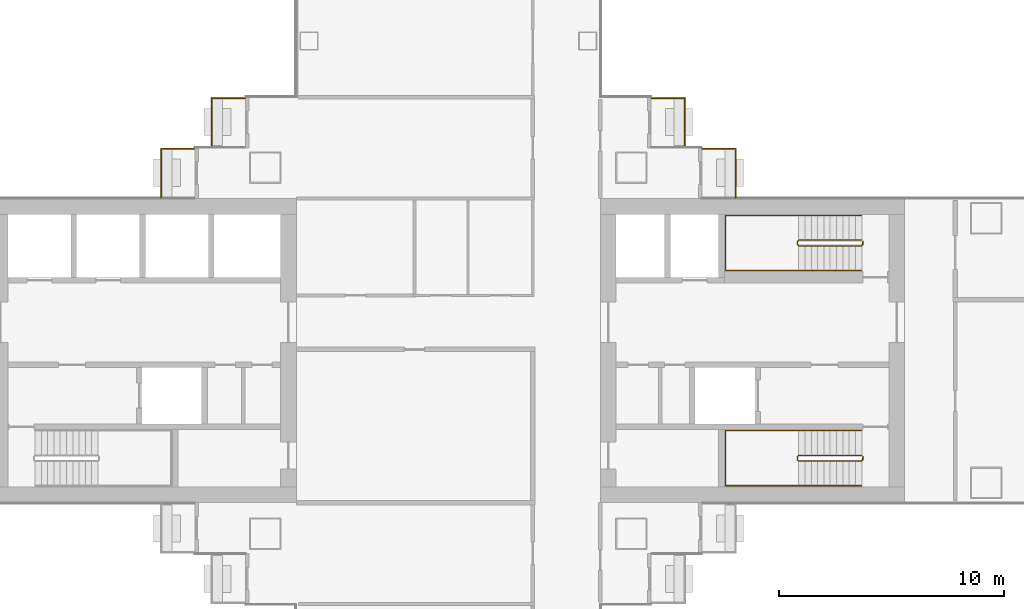
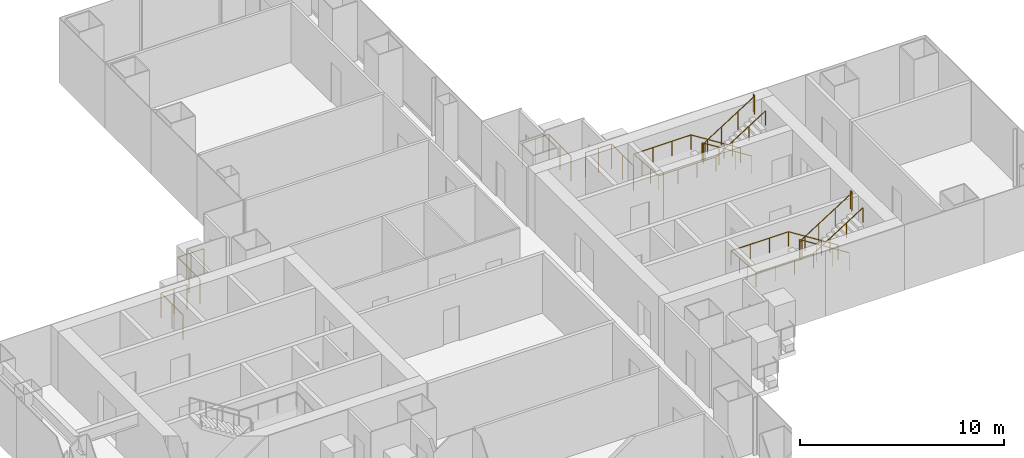
# One storey, part 20 of 21: 8 railings.
"""IFC4 building model written with IfcOpenShell, lengths in metres."""

from ifc_helpers import new_model, si_unit, direction, frame, origin, origin_2d, place, context, subcontext, project, spatial, circle, extrude, material, type_object, element, save


model = new_model("IFC4")

# Units and contexts
model_context = context("Model", 3, precision=1e-05, world=origin(), true_north=direction((0.0, 1.0)))
body_context = subcontext(model_context, "Body", "Model", "MODEL_VIEW")
ifc_project = project(units=[si_unit("LENGTHUNIT", "METRE"), si_unit("AREAUNIT", "SQUARE_METRE"), si_unit("VOLUMEUNIT", "CUBIC_METRE"), si_unit("PLANEANGLEUNIT", "RADIAN"), si_unit("MASSUNIT", "GRAM", prefix="KILO")], contexts=[model_context])

# Site, building, storey
site_placement = place(None, origin())
site = spatial("IfcSite", under=ifc_project, at=site_placement, CompositionType="ELEMENT")
building_placement = place(site_placement, origin())
building = spatial("IfcBuilding", under=site, at=building_placement, Name="Shamsa Quay Exchange Towers", CompositionType="ELEMENT")
storey_placement = place(building_placement, frame((0.0, 0.0, 53.699951171875)))
storey = spatial("IfcBuildingStorey", under=building, at=storey_placement, Name="L11", CompositionType="ELEMENT", Elevation=53.699951171875)

# Railings
ifc_material_1 = material(Name="Steel S355, black powder-coated", Category="steel")
railing_type_1 = type_object("IfcRailingType", Name="BALCONY GUARD 1500", PredefinedType="GUARDRAIL", material=ifc_material_1)
for number, where, name in (
    (1, (24.72900390625, 11.199951171875, 0.0), "Balcony guard T2-PKEN L11"),
    (2, (22.47900390625, 8.949951171875, 0.0), "Balcony guard T2-PKEN L11"),
):
    element("IfcRailing", number, at=place(storey_placement, frame(where)), inside=storey, type_object=railing_type_1, Name=name, PredefinedType="GUARDRAIL", context=body_context, shape_type="SweptSolid", body=[
        extrude(circle(Radius=0.02392578125, at=origin_2d()), frame((0.0, 0.0, 1.47607421875), z_axis=(-1.0, 0.0, 0.0), x_axis=(0.0, -1.0, 0.0)), (0.0, 0.0, 1.0), 1.47900390625),
        extrude(circle(Radius=0.02392578125, at=origin_2d()), frame((-1.47900390625, 0.0, 1.47607421875), z_axis=(0.0, -1.0, 0.0), x_axis=(1.0, 0.0, 0.0)), (0.0, 0.0, 1.0), 2.161865234375),
        extrude(circle(Radius=0.02099609375, at=origin_2d()), origin(), (0.0, 0.0, 1.0), 1.451904296875),
        extrude(circle(Radius=0.02099609375, at=origin_2d()), frame((-0.739501953125, 0.0, 0.0)), (0.0, 0.0, 1.0), 1.451904296875),
        extrude(circle(Radius=0.02099609375, at=origin_2d()), frame((-1.47900390625, 0.0, 0.0)), (0.0, 0.0, 1.0), 1.451904296875),
        extrude(circle(Radius=0.02099609375, at=origin_2d()), frame((-1.47900390625, -1.0810546875, 0.0)), (0.0, 0.0, 1.0), 1.451904296875),
        extrude(circle(Radius=0.02099609375, at=origin_2d()), frame((-1.47900390625, -2.161865234375, 0.0)), (0.0, 0.0, 1.0), 1.451904296875),
    ])
for number, where, name in (
    (3, (44.25, 9.0380859375, 0.0), "Balcony guard T2-PKES L11"),
    (4, (46.5, 6.7880859375, 0.0), "Balcony guard T2-PKES L11"),
):
    element("IfcRailing", number, at=place(storey_placement, frame(where)), inside=storey, type_object=railing_type_1, Name=name, PredefinedType="GUARDRAIL", context=body_context, shape_type="SweptSolid", body=[
        extrude(circle(Radius=0.02392578125, at=origin_2d()), frame((0.0, 0.0, 1.47607421875), z_axis=(0.0, 1.0, 0.0), x_axis=(-1.0, 0.0, 0.0)), (0.0, 0.0, 1.0), 2.161865234375),
        extrude(circle(Radius=0.02392578125, at=origin_2d()), frame((0.0, 2.161865234375, 1.47607421875), z_axis=(-1.0, 0.0, 0.0), x_axis=(0.0, -1.0, 0.0)), (0.0, 0.0, 1.0), 1.47900390625),
        extrude(circle(Radius=0.02099609375, at=origin_2d()), origin(), (0.0, 0.0, 1.0), 1.451904296875),
        extrude(circle(Radius=0.02099609375, at=origin_2d()), frame((0.0, 1.0810546875, 0.0)), (0.0, 0.0, 1.0), 1.451904296875),
        extrude(circle(Radius=0.02099609375, at=origin_2d()), frame((0.0, 2.161865234375, 0.0)), (0.0, 0.0, 1.0), 1.451904296875),
        extrude(circle(Radius=0.02099609375, at=origin_2d()), frame((-0.739501953125, 2.161865234375, 0.0)), (0.0, 0.0, 1.0), 1.451904296875),
        extrude(circle(Radius=0.02099609375, at=origin_2d()), frame((-1.47900390625, 2.161865234375, 0.0)), (0.0, 0.0, 1.0), 1.451904296875),
    ])
ifc_material_2 = material(Name="Stainless steel", Category="steel")
railing_type_2 = type_object("IfcRailingType", Name="STAIR GUARD 1100", PredefinedType="GUARDRAIL", material=ifc_material_2)
railing_1_placement = place(storey_placement, frame((52.10009765625, -4.64990234375, 0.17724609375)))
element("IfcRailing", 5, at=railing_1_placement, inside=storey, type_object=railing_type_2, Name="L11 ST5 stair guard 1", PredefinedType="GUARDRAIL", context=body_context, shape_type="SweptSolid", body=[
    extrude(circle(Radius=0.02392578125, at=origin_2d()), frame((0.0, 0.0, 1.076171875), z_axis=(-0.844908973607, 0.0, 0.534910110503), x_axis=(0.0, -1.0, 0.0)), (0.0, 0.0, 1.0), 3.31396484375),
    extrude(circle(Radius=0.02392578125, at=origin_2d()), frame((-2.800048828125, 0.0, 2.8486328125), z_axis=(-0.707106781187, -0.707106781187, 0.0), x_axis=(0.707106781187, -0.707106781187, 0.0)), (0.0, 0.0, 1.0), 0.07080078125),
    extrude(circle(Radius=0.02392578125, at=origin_2d()), frame((-2.85009765625, -0.050048828125, 2.8486328125), z_axis=(0.0, -1.0, 0.0), x_axis=(1.0, 0.0, 0.0)), (0.0, 0.0, 1.0), 0.150146484375),
    extrude(circle(Radius=0.02392578125, at=origin_2d()), frame((-2.85009765625, -0.2001953125, 2.8486328125), z_axis=(0.262009983441, -0.260731885961, 0.929176868105), x_axis=(0.705375805398, 0.708833529934, 0.0)), (0.0, 0.0, 1.0), 0.19091796875),
    extrude(circle(Radius=0.02392578125, at=origin_2d()), frame((-2.800048828125, -0.25, 3.0263671875), z_axis=(0.844908973607, 0.0, 0.534910110503), x_axis=(0.0, 1.0, 0.0)), (0.0, 0.0, 1.0), 3.31396484375),
    extrude(circle(Radius=0.02392578125, at=origin_2d()), frame((0.0, -0.25, 4.798828125), z_axis=(0.241699205484, 0.970351222016, 0.0), x_axis=(-0.970351222016, 0.241699205484, 0.0)), (0.0, 0.0, 1.0), 0.2060546875),
    extrude(circle(Radius=0.02392578125, at=origin_2d()), frame((0.0498046875, -0.050048828125, 4.798828125), z_axis=(0.0, -1.0, 0.0), x_axis=(1.0, 0.0, 0.0)), (0.0, 0.0, 1.0), 0.150146484375),
    extrude(circle(Radius=0.02099609375, at=origin_2d()), origin(), (0.0, 0.0, 1.0), 1.052001953125),
    extrude(circle(Radius=0.02099609375, at=origin_2d()), frame((-0.933349609375, 0.0, 0.5908203125)), (0.0, 0.0, 1.0), 1.052001953125),
    extrude(circle(Radius=0.02099609375, at=origin_2d()), frame((-1.86669921875, 0.0, 1.181884765625)), (0.0, 0.0, 1.0), 1.052001953125),
    extrude(circle(Radius=0.02099609375, at=origin_2d()), frame((-2.800048828125, 0.0, 1.772705078125)), (0.0, 0.0, 1.0), 1.052001953125),
    extrude(circle(Radius=0.02099609375, at=origin_2d()), frame((-2.85009765625, -0.050048828125, 1.772705078125)), (0.0, 0.0, 1.0), 1.052001953125),
    extrude(circle(Radius=0.02099609375, at=origin_2d()), frame((-2.85009765625, -0.2001953125, 1.772705078125)), (0.0, 0.0, 1.0), 1.052001953125),
    extrude(circle(Radius=0.02099609375, at=origin_2d()), frame((-2.800048828125, -0.25, 1.9501953125)), (0.0, 0.0, 1.0), 1.052001953125),
    extrude(circle(Radius=0.02099609375, at=origin_2d()), frame((-1.86669921875, -0.25, 2.541015625)), (0.0, 0.0, 1.0), 1.052001953125),
    extrude(circle(Radius=0.02099609375, at=origin_2d()), frame((-0.933349609375, -0.25, 3.132080078125)), (0.0, 0.0, 1.0), 1.052001953125),
    extrude(circle(Radius=0.02099609375, at=origin_2d()), frame((0.0, -0.25, 3.722900390625)), (0.0, 0.0, 1.0), 1.052001953125),
    extrude(circle(Radius=0.02099609375, at=origin_2d()), frame((0.0498046875, -0.050048828125, 3.722900390625)), (0.0, 0.0, 1.0), 1.052001953125),
    extrude(circle(Radius=0.02099609375, at=origin_2d()), frame((0.0498046875, -0.2001953125, 3.722900390625)), (0.0, 0.0, 1.0), 1.052001953125),
])
railing_2_placement = place(storey_placement, frame((52.10009765625, 4.89990234375, 0.17724609375)))
element("IfcRailing", 6, at=railing_2_placement, inside=storey, type_object=railing_type_2, Name="L11 ST6 stair guard 1", PredefinedType="GUARDRAIL", context=body_context, shape_type="SweptSolid", body=[
    extrude(circle(Radius=0.02392578125, at=origin_2d()), frame((0.0, 0.0, 1.076171875), z_axis=(-0.844908973607, 0.0, 0.534910110503), x_axis=(0.0, -1.0, 0.0)), (0.0, 0.0, 1.0), 3.31396484375),
    extrude(circle(Radius=0.02392578125, at=origin_2d()), frame((-2.800048828125, 0.0, 2.8486328125), z_axis=(-0.708833529934, -0.705375805398, 0.0), x_axis=(0.705375805398, -0.708833529934, 0.0)), (0.0, 0.0, 1.0), 0.070556640625),
    extrude(circle(Radius=0.02392578125, at=origin_2d()), frame((-2.85009765625, -0.0498046875, 2.8486328125), z_axis=(0.0, -1.0, 0.0), x_axis=(1.0, 0.0, 0.0)), (0.0, 0.0, 1.0), 0.150146484375),
    extrude(circle(Radius=0.02392578125, at=origin_2d()), frame((-2.85009765625, -0.199951171875, 2.8486328125), z_axis=(0.261922500866, -0.261922500866, 0.928866625022), x_axis=(0.707106781187, 0.707106781187, 0.0)), (0.0, 0.0, 1.0), 0.191162109375),
    extrude(circle(Radius=0.02392578125, at=origin_2d()), frame((-2.800048828125, -0.25, 3.0263671875), z_axis=(0.844908973607, 0.0, 0.534910110503), x_axis=(0.0, 1.0, 0.0)), (0.0, 0.0, 1.0), 3.31396484375),
    extrude(circle(Radius=0.02392578125, at=origin_2d()), frame((0.0, -0.25, 4.798828125), z_axis=(0.24142163986, 0.970420317083, 0.0), x_axis=(-0.970420317083, 0.24142163986, 0.0)), (0.0, 0.0, 1.0), 0.206298828125),
    extrude(circle(Radius=0.02392578125, at=origin_2d()), frame((0.0498046875, -0.0498046875, 4.798828125), z_axis=(0.0, -1.0, 0.0), x_axis=(1.0, 0.0, 0.0)), (0.0, 0.0, 1.0), 0.150146484375),
    extrude(circle(Radius=0.02099609375, at=origin_2d()), origin(), (0.0, 0.0, 1.0), 1.052001953125),
    extrude(circle(Radius=0.02099609375, at=origin_2d()), frame((-0.933349609375, 0.0, 0.5908203125)), (0.0, 0.0, 1.0), 1.052001953125),
    extrude(circle(Radius=0.02099609375, at=origin_2d()), frame((-1.86669921875, 0.0, 1.181884765625)), (0.0, 0.0, 1.0), 1.052001953125),
    extrude(circle(Radius=0.02099609375, at=origin_2d()), frame((-2.800048828125, 0.0, 1.772705078125)), (0.0, 0.0, 1.0), 1.052001953125),
    extrude(circle(Radius=0.02099609375, at=origin_2d()), frame((-2.85009765625, -0.0498046875, 1.772705078125)), (0.0, 0.0, 1.0), 1.052001953125),
    extrude(circle(Radius=0.02099609375, at=origin_2d()), frame((-2.85009765625, -0.199951171875, 1.772705078125)), (0.0, 0.0, 1.0), 1.052001953125),
    extrude(circle(Radius=0.02099609375, at=origin_2d()), frame((-2.800048828125, -0.25, 1.9501953125)), (0.0, 0.0, 1.0), 1.052001953125),
    extrude(circle(Radius=0.02099609375, at=origin_2d()), frame((-1.86669921875, -0.25, 2.541015625)), (0.0, 0.0, 1.0), 1.052001953125),
    extrude(circle(Radius=0.02099609375, at=origin_2d()), frame((-0.933349609375, -0.25, 3.132080078125)), (0.0, 0.0, 1.0), 1.052001953125),
    extrude(circle(Radius=0.02099609375, at=origin_2d()), frame((0.0, -0.25, 3.722900390625)), (0.0, 0.0, 1.0), 1.052001953125),
    extrude(circle(Radius=0.02099609375, at=origin_2d()), frame((0.0498046875, -0.0498046875, 3.722900390625)), (0.0, 0.0, 1.0), 1.052001953125),
    extrude(circle(Radius=0.02099609375, at=origin_2d()), frame((0.0498046875, -0.199951171875, 3.722900390625)), (0.0, 0.0, 1.0), 1.052001953125),
])
railing_type_3 = type_object("IfcRailingType", Name="STAIR HANDRAIL 900", PredefinedType="HANDRAIL", material=ifc_material_2)
railing_3_placement = place(storey_placement, frame((52.10009765625, -3.550048828125, 0.17724609375)))
element("IfcRailing", 7, at=railing_3_placement, inside=storey, type_object=railing_type_3, Name="L11 ST5 stair handrail 1", PredefinedType="HANDRAIL", context=body_context, shape_type="SweptSolid", body=[
    extrude(circle(Radius=0.02392578125, at=origin_2d()), frame((0.0, 0.0, 0.8759765625), z_axis=(-0.844908973607, 0.0, 0.534910110503), x_axis=(0.0, -1.0, 0.0)), (0.0, 0.0, 1.0), 3.31396484375),
    extrude(circle(Radius=0.02392578125, at=origin_2d()), frame((-2.800048828125, 0.0, 2.6484375), z_axis=(-1.0, 0.0, 0.0), x_axis=(0.0, -1.0, 0.0)), (0.0, 0.0, 1.0), 3.25),
    extrude(circle(Radius=0.02392578125, at=origin_2d()), frame((-6.050048828125, 0.0, 2.6484375), z_axis=(0.0, -0.997386041853, 0.072257065513), x_axis=(1.0, 0.0, 0.0)), (0.0, 0.0, 1.0), 2.456298828125),
    extrude(circle(Radius=0.02392578125, at=origin_2d()), frame((-6.050048828125, -2.449951171875, 2.826171875), z_axis=(1.0, 0.0, 0.0), x_axis=(0.0, 1.0, 0.0)), (0.0, 0.0, 1.0), 3.25),
    extrude(circle(Radius=0.02392578125, at=origin_2d()), frame((-2.800048828125, -2.449951171875, 2.826171875), z_axis=(0.844908973607, 0.0, 0.534910110503), x_axis=(0.0, 1.0, 0.0)), (0.0, 0.0, 1.0), 3.31396484375),
    extrude(circle(Radius=0.02099609375, at=origin_2d()), origin(), (0.0, 0.0, 1.0), 0.851806640625),
    extrude(circle(Radius=0.02099609375, at=origin_2d()), frame((-0.933349609375, 0.0, 0.5908203125)), (0.0, 0.0, 1.0), 0.851806640625),
    extrude(circle(Radius=0.02099609375, at=origin_2d()), frame((-1.86669921875, 0.0, 1.181884765625)), (0.0, 0.0, 1.0), 0.851806640625),
    extrude(circle(Radius=0.02099609375, at=origin_2d()), frame((-2.800048828125, 0.0, 1.772705078125)), (0.0, 0.0, 1.0), 0.851806640625),
    extrude(circle(Radius=0.02099609375, at=origin_2d()), frame((-3.88330078125, 0.0, 1.772705078125)), (0.0, 0.0, 1.0), 0.851806640625),
    extrude(circle(Radius=0.02099609375, at=origin_2d()), frame((-4.966796875, 0.0, 1.772705078125)), (0.0, 0.0, 1.0), 0.851806640625),
    extrude(circle(Radius=0.02099609375, at=origin_2d()), frame((-6.050048828125, 0.0, 1.772705078125)), (0.0, 0.0, 1.0), 0.851806640625),
    extrude(circle(Radius=0.02099609375, at=origin_2d()), frame((-6.050048828125, -0.816650390625, 1.831787109375)), (0.0, 0.0, 1.0), 0.851806640625),
    extrude(circle(Radius=0.02099609375, at=origin_2d()), frame((-6.050048828125, -1.63330078125, 1.89111328125)), (0.0, 0.0, 1.0), 0.851806640625),
    extrude(circle(Radius=0.02099609375, at=origin_2d()), frame((-6.050048828125, -2.449951171875, 1.9501953125)), (0.0, 0.0, 1.0), 0.851806640625),
    extrude(circle(Radius=0.02099609375, at=origin_2d()), frame((-4.966796875, -2.449951171875, 1.9501953125)), (0.0, 0.0, 1.0), 0.851806640625),
    extrude(circle(Radius=0.02099609375, at=origin_2d()), frame((-3.88330078125, -2.449951171875, 1.9501953125)), (0.0, 0.0, 1.0), 0.851806640625),
    extrude(circle(Radius=0.02099609375, at=origin_2d()), frame((-2.800048828125, -2.449951171875, 1.9501953125)), (0.0, 0.0, 1.0), 0.851806640625),
    extrude(circle(Radius=0.02099609375, at=origin_2d()), frame((-1.86669921875, -2.449951171875, 2.541015625)), (0.0, 0.0, 1.0), 0.851806640625),
    extrude(circle(Radius=0.02099609375, at=origin_2d()), frame((-0.933349609375, -2.449951171875, 3.132080078125)), (0.0, 0.0, 1.0), 0.851806640625),
    extrude(circle(Radius=0.02099609375, at=origin_2d()), frame((0.0, -2.449951171875, 3.722900390625)), (0.0, 0.0, 1.0), 0.851806640625),
])
railing_4_placement = place(storey_placement, frame((52.10009765625, 6.0, 0.17724609375)))
element("IfcRailing", 8, at=railing_4_placement, inside=storey, type_object=railing_type_3, Name="L11 ST6 stair handrail 1", PredefinedType="HANDRAIL", context=body_context, shape_type="SweptSolid", body=[
    extrude(circle(Radius=0.02392578125, at=origin_2d()), frame((0.0, 0.0, 0.8759765625), z_axis=(-0.844908973607, 0.0, 0.534910110503), x_axis=(0.0, -1.0, 0.0)), (0.0, 0.0, 1.0), 3.31396484375),
    extrude(circle(Radius=0.02392578125, at=origin_2d()), frame((-2.800048828125, 0.0, 2.6484375), z_axis=(-1.0, 0.0, 0.0), x_axis=(0.0, -1.0, 0.0)), (0.0, 0.0, 1.0), 3.25),
    extrude(circle(Radius=0.02392578125, at=origin_2d()), frame((-6.050048828125, 0.0, 2.6484375), z_axis=(0.0, -0.997386041853, 0.072257065513), x_axis=(1.0, 0.0, 0.0)), (0.0, 0.0, 1.0), 2.456298828125),
    extrude(circle(Radius=0.02392578125, at=origin_2d()), frame((-6.050048828125, -2.449951171875, 2.826171875), z_axis=(1.0, 0.0, 0.0), x_axis=(0.0, 1.0, 0.0)), (0.0, 0.0, 1.0), 3.25),
    extrude(circle(Radius=0.02392578125, at=origin_2d()), frame((-2.800048828125, -2.449951171875, 2.826171875), z_axis=(0.844908973607, 0.0, 0.534910110503), x_axis=(0.0, 1.0, 0.0)), (0.0, 0.0, 1.0), 3.31396484375),
    extrude(circle(Radius=0.02099609375, at=origin_2d()), origin(), (0.0, 0.0, 1.0), 0.851806640625),
    extrude(circle(Radius=0.02099609375, at=origin_2d()), frame((-0.933349609375, 0.0, 0.5908203125)), (0.0, 0.0, 1.0), 0.851806640625),
    extrude(circle(Radius=0.02099609375, at=origin_2d()), frame((-1.86669921875, 0.0, 1.181884765625)), (0.0, 0.0, 1.0), 0.851806640625),
    extrude(circle(Radius=0.02099609375, at=origin_2d()), frame((-2.800048828125, 0.0, 1.772705078125)), (0.0, 0.0, 1.0), 0.851806640625),
    extrude(circle(Radius=0.02099609375, at=origin_2d()), frame((-3.88330078125, 0.0, 1.772705078125)), (0.0, 0.0, 1.0), 0.851806640625),
    extrude(circle(Radius=0.02099609375, at=origin_2d()), frame((-4.966796875, 0.0, 1.772705078125)), (0.0, 0.0, 1.0), 0.851806640625),
    extrude(circle(Radius=0.02099609375, at=origin_2d()), frame((-6.050048828125, 0.0, 1.772705078125)), (0.0, 0.0, 1.0), 0.851806640625),
    extrude(circle(Radius=0.02099609375, at=origin_2d()), frame((-6.050048828125, -0.816650390625, 1.831787109375)), (0.0, 0.0, 1.0), 0.851806640625),
    extrude(circle(Radius=0.02099609375, at=origin_2d()), frame((-6.050048828125, -1.63330078125, 1.89111328125)), (0.0, 0.0, 1.0), 0.851806640625),
    extrude(circle(Radius=0.02099609375, at=origin_2d()), frame((-6.050048828125, -2.449951171875, 1.9501953125)), (0.0, 0.0, 1.0), 0.851806640625),
    extrude(circle(Radius=0.02099609375, at=origin_2d()), frame((-4.966796875, -2.449951171875, 1.9501953125)), (0.0, 0.0, 1.0), 0.851806640625),
    extrude(circle(Radius=0.02099609375, at=origin_2d()), frame((-3.88330078125, -2.449951171875, 1.9501953125)), (0.0, 0.0, 1.0), 0.851806640625),
    extrude(circle(Radius=0.02099609375, at=origin_2d()), frame((-2.800048828125, -2.449951171875, 1.9501953125)), (0.0, 0.0, 1.0), 0.851806640625),
    extrude(circle(Radius=0.02099609375, at=origin_2d()), frame((-1.86669921875, -2.449951171875, 2.541015625)), (0.0, 0.0, 1.0), 0.851806640625),
    extrude(circle(Radius=0.02099609375, at=origin_2d()), frame((-0.933349609375, -2.449951171875, 3.132080078125)), (0.0, 0.0, 1.0), 0.851806640625),
    extrude(circle(Radius=0.02099609375, at=origin_2d()), frame((0.0, -2.449951171875, 3.722900390625)), (0.0, 0.0, 1.0), 0.851806640625),
])

save(model, "model.ifc")
